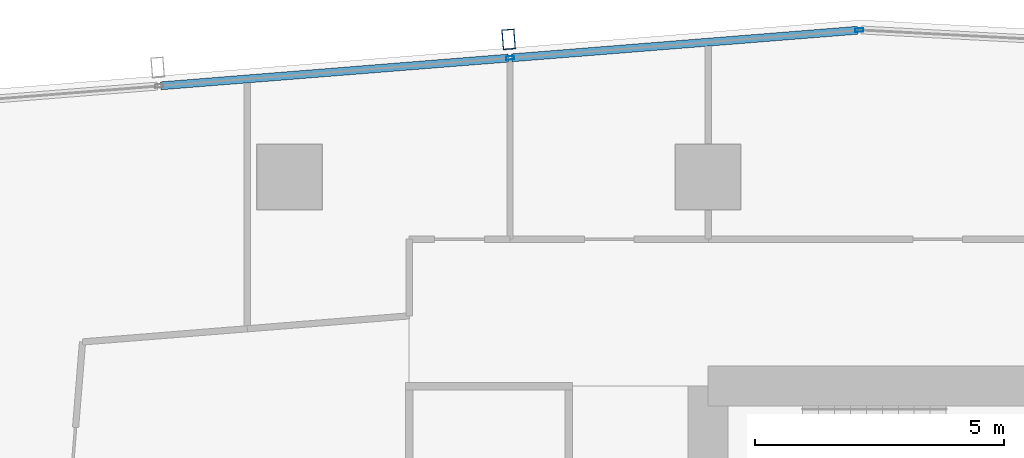
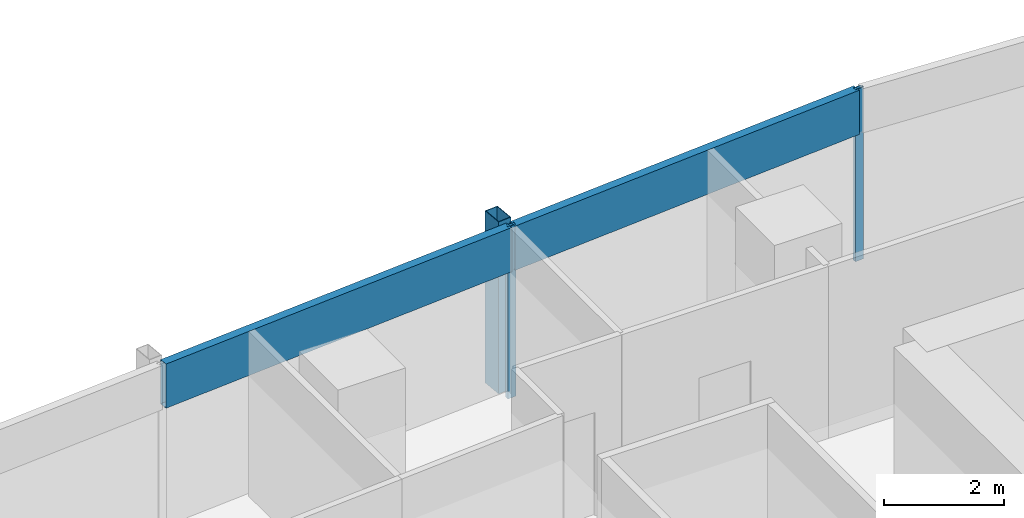
# One storey, part 16 of 29: 5 members, 1 element without a shape of its own.
"""IFC4 building model written with IfcOpenShell, lengths in metres."""

from ifc_helpers import new_model, si_unit, direction, frame, origin, origin_2d, place, context, subcontext, project, spatial, hollow_rectangle, extrude, material, material_profile, profile_set, type_object, element, aggregate, save


model = new_model("IFC4")

# Units and contexts
model_context = context("Model", 3, precision=1e-05, world=origin(), true_north=direction((0.0, 1.0)))
body_context = subcontext(model_context, "Body", "Model", "MODEL_VIEW")
ifc_project = project(units=[si_unit("LENGTHUNIT", "METRE"), si_unit("AREAUNIT", "SQUARE_METRE"), si_unit("VOLUMEUNIT", "CUBIC_METRE"), si_unit("PLANEANGLEUNIT", "RADIAN"), si_unit("MASSUNIT", "GRAM", prefix="KILO")], contexts=[model_context])

# Site, building, storey
site_placement = place(None, origin())
site = spatial("IfcSite", under=ifc_project, at=site_placement, CompositionType="ELEMENT")
building_placement = place(site_placement, origin())
building = spatial("IfcBuilding", under=site, at=building_placement, Name="Rekha Terrace Tower", CompositionType="ELEMENT")
storey_placement = place(building_placement, frame((0.0, 0.0, 261.35009765625)))
storey = spatial("IfcBuildingStorey", under=building, at=storey_placement, Name="L66", CompositionType="ELEMENT", Elevation=261.35009765625)

# Curtain wall, members
ifc_material_1 = material(Name="Aluminium framing", Category="aluminium")
curtain_wall_type = type_object("IfcCurtainWallType", Name="CW3 north unitised glazing", PredefinedType="USERDEFINED", material=ifc_material_1)
curtain_wall_placement = place(storey_placement, origin())
curtain_wall = element("IfcCurtainWall", 1, at=curtain_wall_placement, inside=storey, type_object=curtain_wall_type, Name="CW3 unitised curtain wall", ObjectType="UNITISED CURTAIN WALL", PredefinedType="USERDEFINED")
ifc_material_2 = material(Name="Steel S355 with fluorocarbon finish", Category="steel")
ifc_material_profile_1 = material_profile(ifc_material_2, hollow_rectangle(XDim=0.25, YDim=0.39990234375, WallThickness=0.012451171875, at=origin_2d()), Name="RHS400x250x12.5")
ifc_profile_set_1 = profile_set([ifc_material_profile_1], Name="Steel S355 with fluorocarbon finish")
member_type_1 = type_object("IfcMemberType", Name="BL1 facade blade RHS 400 x 250", PredefinedType="USERDEFINED", material=ifc_profile_set_1)
member_1_placement = place(storey_placement, frame((21.197021484375, 53.16162109375, 0.0), z_axis=(0.0, 0.0, 1.0), x_axis=(-0.996836012392, -0.079485623849, 0.0)))
member_1 = element("IfcMember", 2, at=member_1_placement, type_object=member_type_1, Name="Facade blade", ObjectType="FACADE BLADE", PredefinedType="USERDEFINED", context=body_context, shape_type="SweptSolid", body=[
    extrude(hollow_rectangle(XDim=0.25, YDim=0.39990234375, WallThickness=0.012451171875, at=origin_2d()), origin(), (0.0, 0.0, 1.0), 3.5),
])
ifc_material_3 = material(Name="Aluminium mullion section", Category="aluminium")
ifc_material_profile_2 = material_profile(ifc_material_3, hollow_rectangle(XDim=0.070068359375, YDim=0.159912109375, WallThickness=0.00390625, at=origin_2d()), Name="AL RHS 70x160")
ifc_profile_set_2 = profile_set([ifc_material_profile_2], Name="Aluminium mullion section")
member_type_2 = type_object("IfcMemberType", Name="CW3 mullion RHS 70 x 160", PredefinedType="MULLION", material=ifc_profile_set_2)
member_2_placement = place(storey_placement, frame((28.23779296875, 53.3466796875, 0.0), z_axis=(0.0, 0.0, 1.0), x_axis=(0.07948505154, -0.996836058026, 0.0)))
member_2 = element("IfcMember", 3, at=member_2_placement, type_object=member_type_2, Name="CW3 mullion 1", PredefinedType="MULLION", context=body_context, shape_type="SweptSolid", body=[
    extrude(hollow_rectangle(XDim=0.070068359375, YDim=0.159912109375, WallThickness=0.00390625, at=origin_2d()), origin(), (0.0, 0.0, 1.0), 3.5),
])
member_3_placement = place(storey_placement, frame((21.22705078125, 52.787841796875, 0.0), z_axis=(0.0, 0.0, 1.0), x_axis=(0.07948505154, -0.996836058026, 0.0)))
member_3 = element("IfcMember", 4, at=member_3_placement, type_object=member_type_2, Name="CW3 mullion 2", PredefinedType="MULLION", context=body_context, shape_type="SweptSolid", body=[
    extrude(hollow_rectangle(XDim=0.070068359375, YDim=0.159912109375, WallThickness=0.00390625, at=origin_2d()), origin(), (0.0, 0.0, 1.0), 3.5),
])
ifc_material_4 = material(Name="Insulated aluminium spandrel box", Category="aluminium")
ifc_material_profile_3 = material_profile(ifc_material_4, hollow_rectangle(XDim=0.159912109375, YDim=0.89990234375, WallThickness=0.0029296875, at=origin_2d()), Name="AL SPANDREL BOX 160x900")
ifc_profile_set_3 = profile_set([ifc_material_profile_3], Name="Insulated aluminium spandrel box")
member_type_3 = type_object("IfcMemberType", Name="CW3 spandrel transom 160 x 900", PredefinedType="USERDEFINED", material=ifc_profile_set_3)
member_4_placement = place(storey_placement, frame((28.202880859375, 53.343994140625, 3.0498046875), z_axis=(-0.996836091906, -0.079484626652, 0.0), x_axis=(0.079484626652, -0.996836091906, 0.0)))
member_4 = element("IfcMember", 5, at=member_4_placement, type_object=member_type_3, Name="CW3 spandrel transom 1", ObjectType="TRANSOM", PredefinedType="USERDEFINED", context=body_context, shape_type="SweptSolid", body=[
    extrude(hollow_rectangle(XDim=0.159912109375, YDim=0.89990234375, WallThickness=0.0029296875, at=origin_2d()), origin(), (0.0, 0.0, 1.0), 6.963134765625),
])
member_5_placement = place(storey_placement, frame((21.192138671875, 52.784912109375, 3.0498046875), z_axis=(-0.996837204037, -0.079470677917, 0.0), x_axis=(0.079470677917, -0.996837204037, 0.0)))
member_5 = element("IfcMember", 6, at=member_5_placement, type_object=member_type_3, Name="CW3 spandrel transom 2", ObjectType="TRANSOM", PredefinedType="USERDEFINED", context=body_context, shape_type="SweptSolid", body=[
    extrude(hollow_rectangle(XDim=0.159912109375, YDim=0.89990234375, WallThickness=0.0029296875, at=origin_2d()), origin(), (0.0, 0.0, 1.0), 6.998291015625),
])
aggregate(curtain_wall, [member_2, member_3, member_4, member_5, member_1])

save(model, "model.ifc")
